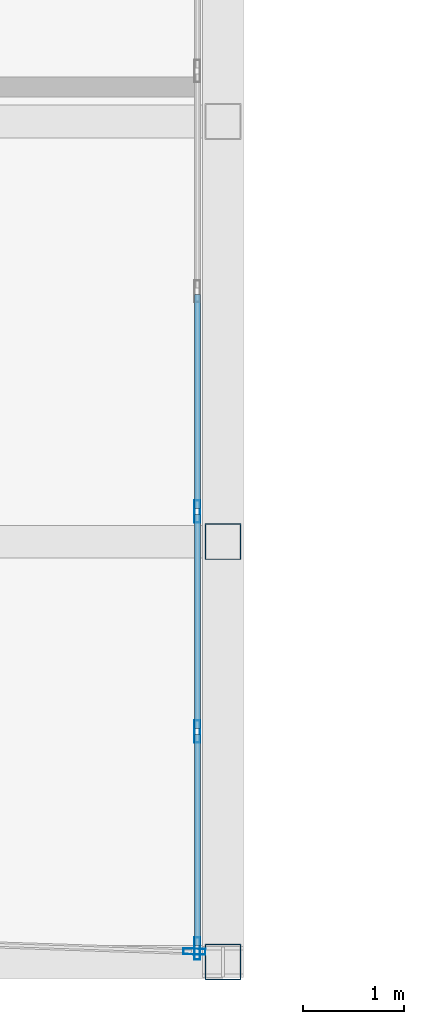
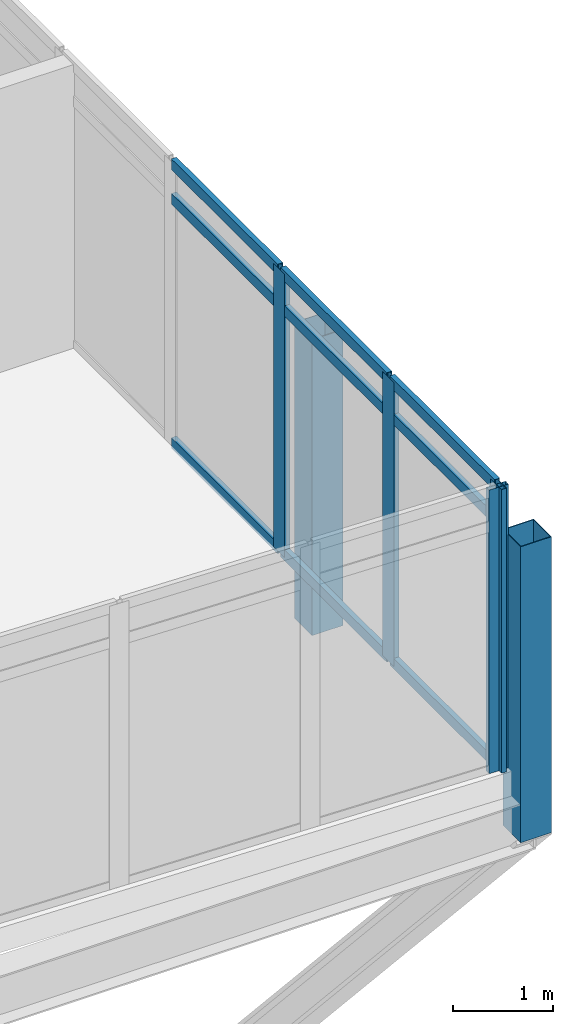
# One storey, part 12 of 38: 15 members, 2 elements without a shape of their own.
"""IFC4 building model written with IfcOpenShell, lengths in metres."""

from ifc_helpers import new_model, si_unit, direction, frame, origin, origin_2d, place, context, subcontext, project, spatial, hollow_rectangle, extrude, material, material_profile, profile_set, type_object, element, aggregate, save


model = new_model("IFC4")

# Units and contexts
model_context = context("Model", 3, precision=1e-05, world=origin(), true_north=direction((0.0, 1.0)))
body_context = subcontext(model_context, "Body", "Model", "MODEL_VIEW")
ifc_project = project(units=[si_unit("LENGTHUNIT", "METRE"), si_unit("AREAUNIT", "SQUARE_METRE"), si_unit("VOLUMEUNIT", "CUBIC_METRE"), si_unit("PLANEANGLEUNIT", "RADIAN"), si_unit("MASSUNIT", "GRAM", prefix="KILO")], contexts=[model_context])

# Site, building, storey
site_placement = place(None, origin())
site = spatial("IfcSite", under=ifc_project, at=site_placement, CompositionType="ELEMENT")
building_placement = place(site_placement, origin())
building = spatial("IfcBuilding", under=site, at=building_placement, Name="Ostrander Bayou Hotel Tower", CompositionType="ELEMENT")
storey_placement = place(building_placement, frame((0.0, 0.0, 194.5)))
storey = spatial("IfcBuildingStorey", under=building, at=storey_placement, Name="L48", CompositionType="ELEMENT", Elevation=194.5)

# Curtain wall, member
ifc_material_1 = material(Name="Aluminium and clear glass", Category="aluminium")
curtain_wall_type = type_object("IfcCurtainWallType", Name="CW-BAR glazed wall", PredefinedType="NOTDEFINED", material=ifc_material_1)
curtain_wall_1_placement = place(storey_placement, origin())
curtain_wall_1 = element("IfcCurtainWall", 1, at=curtain_wall_1_placement, inside=storey, type_object=curtain_wall_type, Name="CW-BAR L48:SB4S:T", PredefinedType="NOTDEFINED")
ifc_material_2 = material(Name="Aluminium", Category="aluminium")
ifc_material_profile_1 = material_profile(ifc_material_2, hollow_rectangle(XDim=0.06005859375, YDim=0.219970703125, WallThickness=0.00390625, at=origin_2d()))
ifc_profile_set_1 = profile_set([ifc_material_profile_1], Name="Aluminium")
member_type_1 = type_object("IfcMemberType", Name="CW-BR mullion 60 x 220 mm", PredefinedType="MULLION", material=ifc_profile_set_1)
member_1_placement = place(storey_placement, frame((11.8271484375, -30.04638671875, 0.0), z_axis=(0.0, 0.0, 1.0), x_axis=(0.03350511268, 0.999438546097, 0.0)))
member_1 = element("IfcMember", 2, at=member_1_placement, type_object=member_type_1, Name="CW-BAR mullion 12", PredefinedType="MULLION", context=body_context, shape_type="SweptSolid", body=[
    extrude(hollow_rectangle(XDim=0.06005859375, YDim=0.219970703125, WallThickness=0.00390625, at=origin_2d()), origin(), (0.0, 0.0, 1.0), 3.449951171875),
])
aggregate(curtain_wall_1, [member_1])

# Curtain wall, members
curtain_wall_2_placement = place(storey_placement, origin())
curtain_wall_2 = element("IfcCurtainWall", 3, at=curtain_wall_2_placement, inside=storey, type_object=curtain_wall_type, Name="CW-BAR L48:SB4S:W", PredefinedType="NOTDEFINED")
member_2_placement = place(storey_placement, frame((11.857177734375, -25.6953125, 0.0), z_axis=(0.0, 0.0, 1.0), x_axis=(1.0, 0.0, 0.0)))
member_2 = element("IfcMember", 4, at=member_2_placement, type_object=member_type_1, Name="CW-BAR mullion 8", PredefinedType="MULLION", context=body_context, shape_type="SweptSolid", body=[
    extrude(hollow_rectangle(XDim=0.06005859375, YDim=0.219970703125, WallThickness=0.00390625, at=origin_2d()), origin(), (0.0, 0.0, 1.0), 3.449951171875),
])
member_3_placement = place(storey_placement, frame((11.857177734375, -27.871337890625, 0.0), z_axis=(0.0, 0.0, 1.0), x_axis=(1.0, 0.0, 0.0)))
member_3 = element("IfcMember", 5, at=member_3_placement, type_object=member_type_1, Name="CW-BAR mullion 9", PredefinedType="MULLION", context=body_context, shape_type="SweptSolid", body=[
    extrude(hollow_rectangle(XDim=0.06005859375, YDim=0.219970703125, WallThickness=0.00390625, at=origin_2d()), origin(), (0.0, 0.0, 1.0), 3.449951171875),
])
member_4_placement = place(storey_placement, frame((11.857177734375, -30.017578125, 0.0), z_axis=(0.0, 0.0, 1.0), x_axis=(1.0, 0.0, 0.0)))
member_4 = element("IfcMember", 6, at=member_4_placement, type_object=member_type_1, Name="CW-BAR mullion 10", PredefinedType="MULLION", context=body_context, shape_type="SweptSolid", body=[
    extrude(hollow_rectangle(XDim=0.06005859375, YDim=0.219970703125, WallThickness=0.00390625, at=origin_2d()), origin(), (0.0, 0.0, 1.0), 3.449951171875),
])
ifc_material_3 = material(Name="Aluminium", Category="aluminium")
ifc_material_profile_2 = material_profile(ifc_material_3, hollow_rectangle(XDim=0.06005859375, YDim=0.1298828125, WallThickness=0.00390625, at=origin_2d()))
ifc_profile_set_2 = profile_set([ifc_material_profile_2], Name="Aluminium")
member_type_2 = type_object("IfcMemberType", Name="CW-BR transom 60 x 130 mm", PredefinedType="USERDEFINED", material=ifc_profile_set_2)
member_5_placement = place(storey_placement, frame((11.857177734375, -23.54931640625, 0.030029296875), z_axis=(0.0, -1.0, 0.0), x_axis=(1.0, 0.0, 0.0)))
member_5 = element("IfcMember", 7, at=member_5_placement, type_object=member_type_2, Name="CW-BAR transom 7.1", ObjectType="TRANSOM", PredefinedType="USERDEFINED", context=body_context, shape_type="SweptSolid", body=[
    extrude(hollow_rectangle(XDim=0.06005859375, YDim=0.1298828125, WallThickness=0.00390625, at=origin_2d()), origin(), (0.0, 0.0, 1.0), 2.115966796875),
])
member_6_placement = place(storey_placement, frame((11.857177734375, -23.54931640625, 3.0), z_axis=(0.0, -1.0, 0.0), x_axis=(1.0, 0.0, 0.0)))
member_6 = element("IfcMember", 8, at=member_6_placement, type_object=member_type_2, Name="CW-BAR transom 7.2", ObjectType="TRANSOM", PredefinedType="USERDEFINED", context=body_context, shape_type="SweptSolid", body=[
    extrude(hollow_rectangle(XDim=0.06005859375, YDim=0.1298828125, WallThickness=0.00390625, at=origin_2d()), origin(), (0.0, 0.0, 1.0), 2.115966796875),
])
member_7_placement = place(storey_placement, frame((11.857177734375, -23.54931640625, 3.419921875), z_axis=(0.0, -1.0, 0.0), x_axis=(1.0, 0.0, 0.0)))
member_7 = element("IfcMember", 9, at=member_7_placement, type_object=member_type_2, Name="CW-BAR transom 7.3", ObjectType="TRANSOM", PredefinedType="USERDEFINED", context=body_context, shape_type="SweptSolid", body=[
    extrude(hollow_rectangle(XDim=0.06005859375, YDim=0.1298828125, WallThickness=0.00390625, at=origin_2d()), origin(), (0.0, 0.0, 1.0), 2.115966796875),
])
member_8_placement = place(storey_placement, frame((11.857177734375, -25.725341796875, 0.030029296875), z_axis=(0.0, -1.0, 0.0), x_axis=(1.0, 0.0, 0.0)))
member_8 = element("IfcMember", 10, at=member_8_placement, type_object=member_type_2, Name="CW-BAR transom 8.1", ObjectType="TRANSOM", PredefinedType="USERDEFINED", context=body_context, shape_type="SweptSolid", body=[
    extrude(hollow_rectangle(XDim=0.06005859375, YDim=0.1298828125, WallThickness=0.00390625, at=origin_2d()), origin(), (0.0, 0.0, 1.0), 2.115966796875),
])
member_9_placement = place(storey_placement, frame((11.857177734375, -25.725341796875, 3.0), z_axis=(0.0, -1.0, 0.0), x_axis=(1.0, 0.0, 0.0)))
member_9 = element("IfcMember", 11, at=member_9_placement, type_object=member_type_2, Name="CW-BAR transom 8.2", ObjectType="TRANSOM", PredefinedType="USERDEFINED", context=body_context, shape_type="SweptSolid", body=[
    extrude(hollow_rectangle(XDim=0.06005859375, YDim=0.1298828125, WallThickness=0.00390625, at=origin_2d()), origin(), (0.0, 0.0, 1.0), 2.115966796875),
])
member_10_placement = place(storey_placement, frame((11.857177734375, -25.725341796875, 3.419921875), z_axis=(0.0, -1.0, 0.0), x_axis=(1.0, 0.0, 0.0)))
member_10 = element("IfcMember", 12, at=member_10_placement, type_object=member_type_2, Name="CW-BAR transom 8.3", ObjectType="TRANSOM", PredefinedType="USERDEFINED", context=body_context, shape_type="SweptSolid", body=[
    extrude(hollow_rectangle(XDim=0.06005859375, YDim=0.1298828125, WallThickness=0.00390625, at=origin_2d()), origin(), (0.0, 0.0, 1.0), 2.115966796875),
])
member_11_placement = place(storey_placement, frame((11.857177734375, -27.9013671875, 0.030029296875), z_axis=(0.0, -1.0, 0.0), x_axis=(1.0, 0.0, 0.0)))
member_11 = element("IfcMember", 13, at=member_11_placement, type_object=member_type_2, Name="CW-BAR transom 9.1", ObjectType="TRANSOM", PredefinedType="USERDEFINED", context=body_context, shape_type="SweptSolid", body=[
    extrude(hollow_rectangle(XDim=0.06005859375, YDim=0.1298828125, WallThickness=0.00390625, at=origin_2d()), origin(), (0.0, 0.0, 1.0), 2.086181640625),
])
member_12_placement = place(storey_placement, frame((11.857177734375, -27.9013671875, 3.0), z_axis=(0.0, -1.0, 0.0), x_axis=(1.0, 0.0, 0.0)))
member_12 = element("IfcMember", 14, at=member_12_placement, type_object=member_type_2, Name="CW-BAR transom 9.2", ObjectType="TRANSOM", PredefinedType="USERDEFINED", context=body_context, shape_type="SweptSolid", body=[
    extrude(hollow_rectangle(XDim=0.06005859375, YDim=0.1298828125, WallThickness=0.00390625, at=origin_2d()), origin(), (0.0, 0.0, 1.0), 2.086181640625),
])
member_13_placement = place(storey_placement, frame((11.857177734375, -27.9013671875, 3.419921875), z_axis=(0.0, -1.0, 0.0), x_axis=(1.0, 0.0, 0.0)))
member_13 = element("IfcMember", 15, at=member_13_placement, type_object=member_type_2, Name="CW-BAR transom 9.3", ObjectType="TRANSOM", PredefinedType="USERDEFINED", context=body_context, shape_type="SweptSolid", body=[
    extrude(hollow_rectangle(XDim=0.06005859375, YDim=0.1298828125, WallThickness=0.00390625, at=origin_2d()), origin(), (0.0, 0.0, 1.0), 2.086181640625),
])
aggregate(curtain_wall_2, [member_2, member_3, member_4, member_5, member_6, member_7, member_8, member_9, member_10, member_11, member_12, member_13])

# Members
ifc_material_4 = material(Name="Steel ASTM A500 Gr C", Category="steel")
ifc_material_profile_3 = material_profile(ifc_material_4, hollow_rectangle(XDim=0.355712890625, YDim=0.355712890625, WallThickness=0.0087890625, at=origin_2d()))
ifc_profile_set_3 = profile_set([ifc_material_profile_3], Name="Steel ASTM A500 Gr C")
member_type_3 = type_object("IfcMemberType", Name="TH3 bar hanger HSS14x14x3/8", PredefinedType="POST", material=ifc_profile_set_3)
for number, where, z_axis, x_axis, name in (
    (16, (12.110107421875, -25.995361328125, -0.760986328125), (0.0, 0.0, 1.0), (1.0, 0.0, 0.0), "TH3 SB4SB H2-1"),
    (17, (12.110107421875, -30.14990234375, -0.760986328125), (0.0, 0.0, 1.0), (1.0, 0.0, 0.0), "TH3 SB4SB H3-1"),
):
    element("IfcMember", number, at=place(storey_placement, frame(where, z_axis=z_axis, x_axis=x_axis)), inside=storey, type_object=member_type_3, Name=name, PredefinedType="POST", context=body_context, shape_type="SweptSolid", body=[
        extrude(hollow_rectangle(XDim=0.355712890625, YDim=0.355712890625, WallThickness=0.0087890625, at=origin_2d()), origin(), (0.0, 0.0, 1.0), 3.599853515625),
    ])

save(model, "model.ifc")
